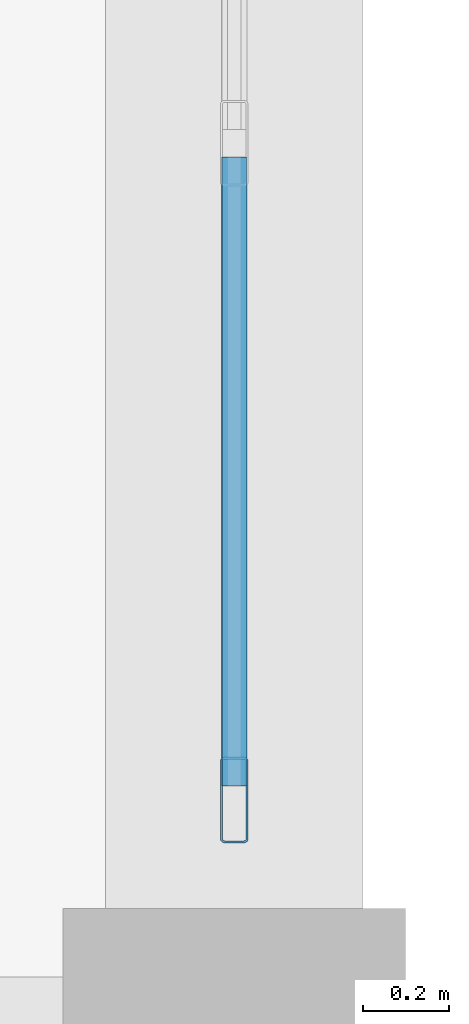
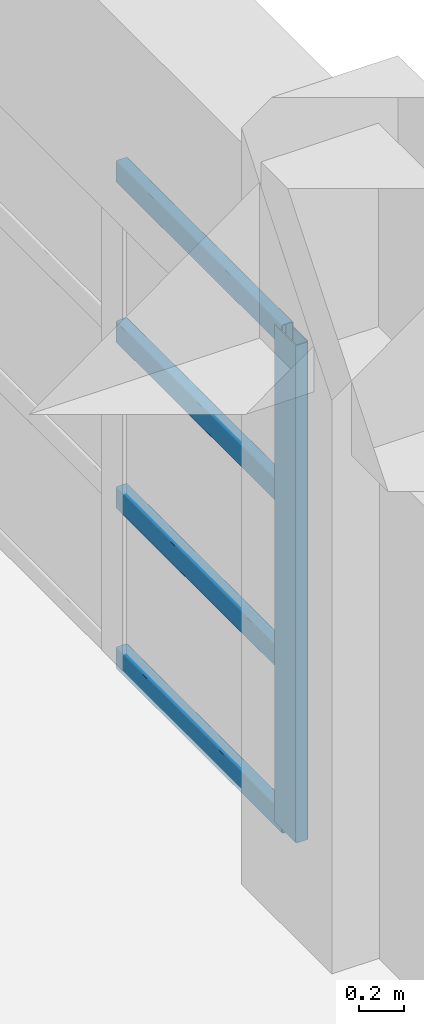
# One storey, part 36 of 124: 5 members, 1 element without a shape of its own.
"""IFC4 building model written with IfcOpenShell, lengths in metres."""

from ifc_helpers import new_model, si_unit, direction, frame, origin, origin_2d, place, context, subcontext, project, spatial, hollow_rectangle, extrude, material, material_profile, profile_set, type_object, element, aggregate, save


model = new_model("IFC4")

# Units and contexts
model_context = context("Model", 3, precision=1e-05, world=origin(), true_north=direction((0.0, 1.0)))
body_context = subcontext(model_context, "Body", "Model", "MODEL_VIEW")
ifc_project = project(units=[si_unit("LENGTHUNIT", "METRE"), si_unit("AREAUNIT", "SQUARE_METRE"), si_unit("VOLUMEUNIT", "CUBIC_METRE"), si_unit("PLANEANGLEUNIT", "RADIAN"), si_unit("MASSUNIT", "GRAM", prefix="KILO")], contexts=[model_context])

# Site, building, storey
site_placement = place(None, origin())
site = spatial("IfcSite", under=ifc_project, at=site_placement, CompositionType="ELEMENT")
building_placement = place(site_placement, origin())
building = spatial("IfcBuilding", under=site, at=building_placement, Name="Qasida Concert Hall", CompositionType="ELEMENT")
storey_placement = place(building_placement, frame((0.0, 0.0, 9.0)))
storey = spatial("IfcBuildingStorey", under=building, at=storey_placement, Name="L02", CompositionType="ELEMENT", Elevation=9.0)

# Curtain wall, members
ifc_material_1 = material(Name="Architectural bronze-anodized aluminium and low-E glass", Category="aluminium")
curtain_wall_type = type_object("IfcCurtainWallType", Name="CW-03", PredefinedType="NOTDEFINED", material=ifc_material_1)
curtain_wall_placement = place(storey_placement, origin())
curtain_wall = element("IfcCurtainWall", 1, at=curtain_wall_placement, inside=storey, type_object=curtain_wall_type, Name="L02 curtain wall CW-03 0046", PredefinedType="NOTDEFINED")
ifc_material_2 = material(Name="Architectural bronze-anodized aluminium EN AW-6063", Category="aluminium")
ifc_material_profile_1 = material_profile(ifc_material_2, hollow_rectangle(XDim=0.06494140625, YDim=0.199951171875, WallThickness=0.0048828125, InnerFilletRadius=0.0048828125, OuterFilletRadius=0.010009765625, at=origin_2d()), Name="CWM 200x65x5")
ifc_profile_set_1 = profile_set([ifc_material_profile_1], Name="Architectural bronze-anodized aluminium EN AW-6063")
member_type_1 = type_object("IfcMemberType", Name="MB-CWM-2", PredefinedType="MULLION", material=ifc_profile_set_1)
member_1_placement = place(storey_placement, frame((105.0, 30.652587890625, 0.0), z_axis=(0.0, 0.0, 1.0), x_axis=(-1.0, 0.0, 0.0)))
member_1 = element("IfcMember", 2, at=member_1_placement, type_object=member_type_1, Name="CW-03 mullion 1", PredefinedType="MULLION", context=body_context, shape_type="SweptSolid", body=[
    extrude(hollow_rectangle(XDim=0.06494140625, YDim=0.199951171875, WallThickness=0.0048828125, InnerFilletRadius=0.0048828125, OuterFilletRadius=0.010009765625, at=origin_2d()), origin(), (0.0, 0.0, 1.0), 2.68994140625),
])
ifc_material_profile_2 = material_profile(ifc_material_2, hollow_rectangle(XDim=0.06005859375, YDim=0.1201171875, WallThickness=0.00390625, InnerFilletRadius=0.00390625, OuterFilletRadius=0.008056640625, at=origin_2d()), Name="CWT 120x60x4")
ifc_profile_set_2 = profile_set([ifc_material_profile_2], Name="Architectural bronze-anodized aluminium EN AW-6063")
member_type_2 = type_object("IfcMemberType", Name="MB-CWT-2", PredefinedType="USERDEFINED", material=ifc_profile_set_2)
member_2_placement = place(storey_placement, frame((105.0, 30.68505859375, 0.030029296875), z_axis=(0.0, 1.0, 0.0), x_axis=(-1.0, 0.0, 0.0)))
member_2 = element("IfcMember", 3, at=member_2_placement, type_object=member_type_2, Name="CW-03 transom 1.1", ObjectType="TRANSOM", PredefinedType="USERDEFINED", context=body_context, shape_type="SweptSolid", body=[
    extrude(hollow_rectangle(XDim=0.06005859375, YDim=0.1201171875, WallThickness=0.00390625, InnerFilletRadius=0.00390625, OuterFilletRadius=0.008056640625, at=origin_2d()), origin(), (0.0, 0.0, 1.0), 1.467529296875),
])
member_3_placement = place(storey_placement, frame((105.0, 30.68505859375, 0.896728515625), z_axis=(0.0, 1.0, 0.0), x_axis=(-1.0, 0.0, 0.0)))
member_3 = element("IfcMember", 4, at=member_3_placement, type_object=member_type_2, Name="CW-03 transom 1.2", ObjectType="TRANSOM", PredefinedType="USERDEFINED", context=body_context, shape_type="SweptSolid", body=[
    extrude(hollow_rectangle(XDim=0.06005859375, YDim=0.1201171875, WallThickness=0.00390625, InnerFilletRadius=0.00390625, OuterFilletRadius=0.008056640625, at=origin_2d()), origin(), (0.0, 0.0, 1.0), 1.467529296875),
])
member_4_placement = place(storey_placement, frame((105.0, 30.68505859375, 1.793212890625), z_axis=(0.0, 1.0, 0.0), x_axis=(-1.0, 0.0, 0.0)))
member_4 = element("IfcMember", 5, at=member_4_placement, type_object=member_type_2, Name="CW-03 transom 1.3", ObjectType="TRANSOM", PredefinedType="USERDEFINED", context=body_context, shape_type="SweptSolid", body=[
    extrude(hollow_rectangle(XDim=0.06005859375, YDim=0.1201171875, WallThickness=0.00390625, InnerFilletRadius=0.00390625, OuterFilletRadius=0.008056640625, at=origin_2d()), origin(), (0.0, 0.0, 1.0), 1.467529296875),
])
member_5_placement = place(storey_placement, frame((105.0, 30.68505859375, 2.659912109375), z_axis=(0.0, 1.0, 0.0), x_axis=(-1.0, 0.0, 0.0)))
member_5 = element("IfcMember", 6, at=member_5_placement, type_object=member_type_2, Name="CW-03 transom 1.4", ObjectType="TRANSOM", PredefinedType="USERDEFINED", context=body_context, shape_type="SweptSolid", body=[
    extrude(hollow_rectangle(XDim=0.06005859375, YDim=0.1201171875, WallThickness=0.00390625, InnerFilletRadius=0.00390625, OuterFilletRadius=0.008056640625, at=origin_2d()), origin(), (0.0, 0.0, 1.0), 1.467529296875),
])
aggregate(curtain_wall, [member_1, member_2, member_3, member_4, member_5])

save(model, "model.ifc")
